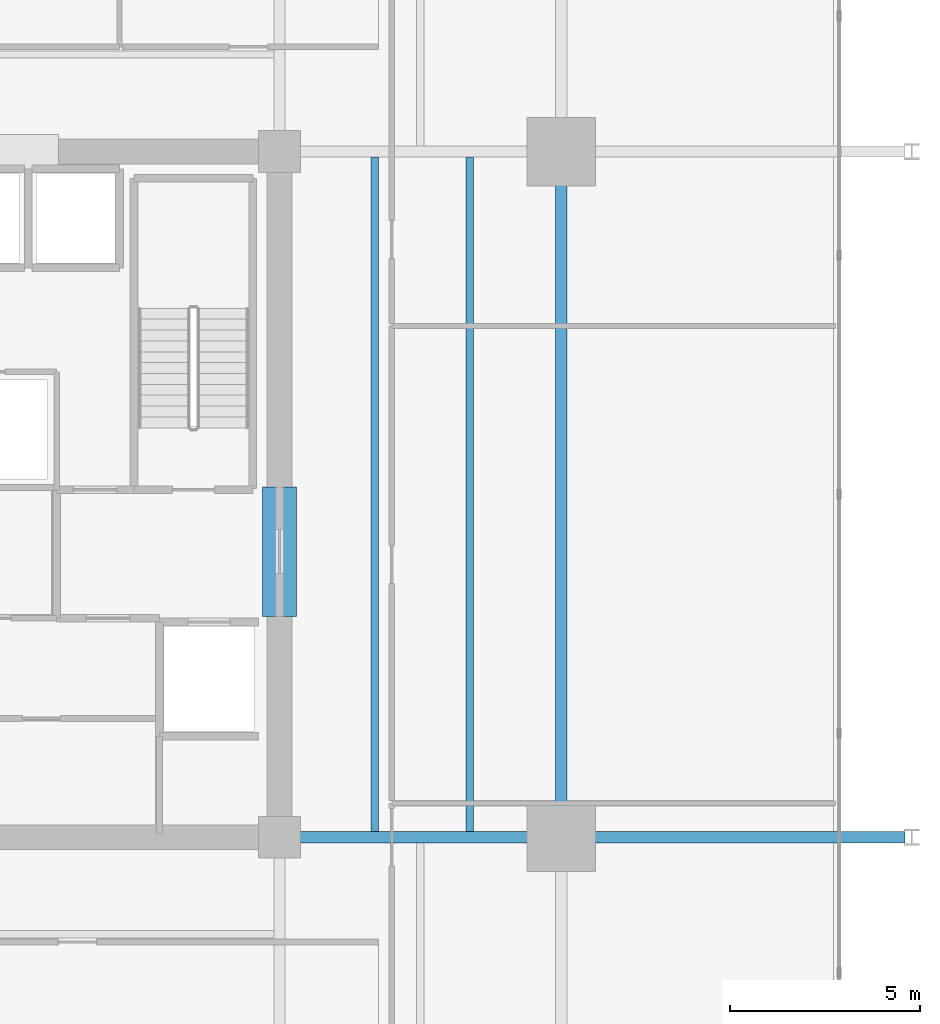
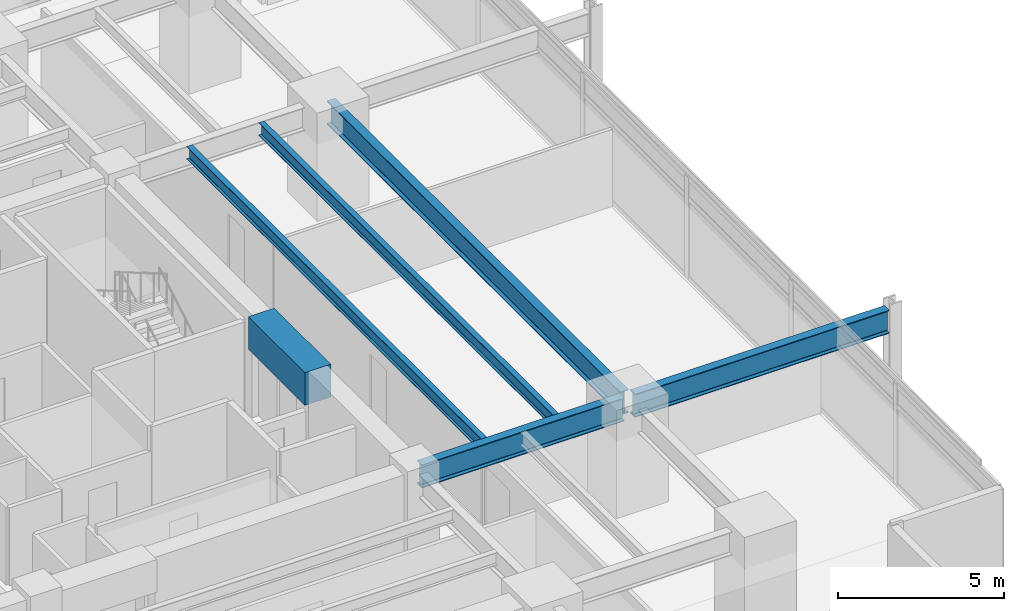
# One storey, part 3 of 23: 6 beams.
"""IFC4 building model written with IfcOpenShell, lengths in metres."""

import ifcopenshell
import ifcopenshell.guid

model = None  # the IFC model being written
_history = None  # IfcOwnerHistory: only IFC2X3 demands one
_inside = {}  # id of a spatial element -> (the spatial element, [elements in it])
_under = {}  # id of a project, library or spatial element -> (it, [spatial elements below it])
_declared = {}  # id of a project -> (the project, [libraries it declares])
_typed = {}  # id of a type object -> (the type object, [elements of that type])
_made_of = {}  # id of a material, layer set ... -> (it, [elements and type objects made of it])


def new_model(schema):
    """Start an empty IFC model of exactly this schema.

    Asked for "IFC4X3", IfcOpenShell would pick the latest addendum, in which some entities
    have other attributes; the version numbers below select the first issue.
    IFC2X3 requires an IfcOwnerHistory on every rooted entity: one is made here for all.
    """
    global model, _history
    if schema == "IFC4X3":
        model = ifcopenshell.file(schema_version=(4, 3, 0, 0))
    else:
        model = ifcopenshell.file(schema=schema)
    _inside.clear()
    _under.clear()
    _declared.clear()
    _typed.clear()
    _made_of.clear()
    _history = None
    if model.schema == "IFC2X3":
        org = make("IfcOrganization", Name="unknown")
        user = make(
            "IfcPersonAndOrganization",
            ThePerson=make("IfcPerson", FamilyName="unknown"),
            TheOrganization=org,
        )
        app = make(
            "IfcApplication",
            ApplicationDeveloper=org,
            Version="unknown",
            ApplicationFullName="unknown",
            ApplicationIdentifier="unknown",
        )
        _history = make(
            "IfcOwnerHistory",
            OwningUser=user,
            OwningApplication=app,
            ChangeAction="ADDED",
            CreationDate=0,
        )
    return model


def make(cls, **values):
    """One entity of the class cls with the attributes given. An attribute that is None is left unset."""
    return model.create_entity(
        cls, **{name: value for name, value in values.items() if value is not None}
    )


def rooted(cls, **values):
    """An entity with a GlobalId (a new one), such as an element, a storey or a relation."""
    return make(cls, GlobalId=ifcopenshell.guid.new(), OwnerHistory=_history, **values)


def si_unit(unit_type, name, prefix=None):
    """IfcSIUnit, for example si_unit("LENGTHUNIT", "METRE", prefix="MILLI")."""
    return make("IfcSIUnit", UnitType=unit_type, Prefix=prefix, Name=name)


def assignment(units):
    """IfcUnitAssignment: the units of a project."""
    return None if units is None else make("IfcUnitAssignment", Units=units)


def point(xyz):
    """IfcCartesianPoint."""
    return None if xyz is None else make("IfcCartesianPoint", Coordinates=xyz)


def direction(xyz):
    """IfcDirection."""
    return None if xyz is None else make("IfcDirection", DirectionRatios=xyz)


def frame(location, z_axis=None, x_axis=None):
    """IfcAxis2Placement3D, a coordinate frame: its origin and axes. An axis left out is left unset."""
    return make(
        "IfcAxis2Placement3D",
        Location=point(location),
        Axis=direction(z_axis),
        RefDirection=direction(x_axis),
    )


def frame_2d(location, x_axis=None):
    """IfcAxis2Placement2D, a coordinate frame in the plane: its origin and x axis."""
    return make(
        "IfcAxis2Placement2D", Location=point(location), RefDirection=direction(x_axis)
    )


def origin():
    """The frame at (0, 0, 0) with its axes left unset."""
    return frame((0.0, 0.0, 0.0))


def origin_2d():
    """The frame at (0, 0) in the plane with its x axis left unset."""
    return frame_2d((0.0, 0.0))


def place(relative_to, where):
    """IfcLocalPlacement: puts the frame where relative to a parent placement (None: the world)."""
    return make(
        "IfcLocalPlacement", PlacementRelTo=relative_to, RelativePlacement=where
    )


def context(
    kind, dimensions, precision=None, world=None, true_north=None, identifier=None
):
    """IfcGeometricRepresentationContext, for example the 3D "Model" context."""
    return make(
        "IfcGeometricRepresentationContext",
        ContextIdentifier=identifier,
        ContextType=kind,
        CoordinateSpaceDimension=dimensions,
        Precision=precision,
        WorldCoordinateSystem=world,
        TrueNorth=true_north,
    )


def subcontext(parent, identifier, kind, view, scale=None):
    """IfcGeometricRepresentationSubContext, for example "Body" below "Model"."""
    return make(
        "IfcGeometricRepresentationSubContext",
        ContextIdentifier=identifier,
        ContextType=kind,
        ParentContext=parent,
        TargetScale=scale,
        TargetView=view,
    )


def project(units=None, contexts=None):
    """IfcProject with its units and contexts."""
    return rooted(
        "IfcProject",
        Name="project",
        RepresentationContexts=contexts,
        UnitsInContext=assignment(units),
    )


def spatial(cls, under=None, at=None, **own):
    """A site, building, storey or space (cls), placed at a placement, below another one or the project."""
    s = rooted(cls, ObjectPlacement=at, **own)
    if under is not None:
        _under.setdefault(under.id(), (under, []))[1].append(s)
    return s


def profile(cls, at=None, kind="AREA", **sizes):
    """A parametric profile (cls). Its sizes go by their IFC names, for example OverallWidth=200.0."""
    return make(cls, ProfileType=kind, Position=at, **sizes)


def rectangle(**sizes):
    """IfcRectangleProfileDef."""
    return profile("IfcRectangleProfileDef", **sizes)


def i_section(**sizes):
    """IfcIShapeProfileDef."""
    return profile("IfcIShapeProfileDef", **sizes)


def extrude(swept, where, along, depth):
    """IfcExtrudedAreaSolid: the profile swept, set in the frame where, extruded along a direction by depth."""
    return make(
        "IfcExtrudedAreaSolid",
        SweptArea=swept,
        Position=where,
        ExtrudedDirection=direction(along),
        Depth=depth,
    )


def shape(context_of_items, identifier, shape_type, items):
    """IfcShapeRepresentation: the items that make up one representation, for example the "Body"."""
    return make(
        "IfcShapeRepresentation",
        ContextOfItems=context_of_items,
        RepresentationIdentifier=identifier,
        RepresentationType=shape_type,
        Items=items,
    )


def material(Name=None, Category=None):
    """IfcMaterial."""
    return make("IfcMaterial", Name=Name, Category=Category)


def material_profile(
    of_material, cross_section, Name=None, Category=None, Priority=None
):
    """IfcMaterialProfile: a cross section and its material."""
    return make(
        "IfcMaterialProfile",
        Name=Name,
        Material=of_material,
        Profile=cross_section,
        Priority=Priority,
        Category=Category,
    )


def profile_set(profiles, Name=None, composite=None):
    """IfcMaterialProfileSet."""
    return make(
        "IfcMaterialProfileSet",
        Name=Name,
        MaterialProfiles=profiles,
        CompositeProfile=composite,
    )


def made_of(thing, what):
    """Note that an element or type object is made of a material, layer set ...; save() writes the relation."""
    if what is not None:
        _made_of.setdefault(what.id(), (what, []))[1].append(thing)
    return thing


def type_object(cls, material=None, **own):
    """A type object (cls), such as IfcWallType, which elements share."""
    return made_of(rooted(cls, **own), material)


def element(
    cls,
    number,
    at=None,
    inside=None,
    cuts=None,
    type_object=None,
    material=None,
    context=None,
    identifier="Body",
    shape_type=None,
    held_by="IfcProductDefinitionShape",
    body=None,
    shapes=None,
    **own,
):
    """One element of the class cls, such as IfcWall. Its Tag is "e" and its number.

    at: its placement. inside: the storey or other place that contains it. cuts: it is an
    opening in that element (IfcRelVoidsElement). A single representation is given by context,
    identifier, shape_type and body (its items); several are given by shapes. held_by: the class
    of the entity that holds the representations. save() writes the other relations.
    """
    e = rooted(cls, Tag="e%d" % number, ObjectPlacement=at, **own)
    if body is not None:
        shapes = [shape(context, identifier, shape_type, body)]
    if shapes is not None:
        e.Representation = make(held_by, Representations=shapes)
    if inside is not None:
        _inside.setdefault(inside.id(), (inside, []))[1].append(e)
    if cuts is not None:
        rooted(
            "IfcRelVoidsElement", RelatingBuildingElement=cuts, RelatedOpeningElement=e
        )
    if type_object is not None:
        _typed.setdefault(type_object.id(), (type_object, []))[1].append(e)
    return made_of(e, material)


def aggregate(whole, parts):
    """IfcRelAggregates: a whole, such as a stair, and the parts it consists of."""
    return rooted("IfcRelAggregates", RelatingObject=whole, RelatedObjects=parts)


def save(model, path):
    """Write the relations noted so far, then the file.

    IfcRelAggregates (storeys below a building ...), IfcRelContainedInSpatialStructure (elements
    in a storey), IfcRelDefinesByType, IfcRelAssociatesMaterial and IfcRelDeclares: one each for
    every whole, place, type object, material and project.
    """
    for whole, parts in _under.values():
        aggregate(whole, parts)
    for where, things in _inside.values():
        rooted(
            "IfcRelContainedInSpatialStructure",
            RelatedElements=things,
            RelatingStructure=where,
        )
    for kind, things in _typed.values():
        rooted("IfcRelDefinesByType", RelatedObjects=things, RelatingType=kind)
    for what, things in _made_of.values():
        rooted("IfcRelAssociatesMaterial", RelatedObjects=things, RelatingMaterial=what)
    for by, libraries in _declared.values():
        rooted("IfcRelDeclares", RelatingContext=by, RelatedDefinitions=libraries)
    model.write(path)


model = new_model("IFC4")

# Units and contexts
model_context = context("Model", 3, precision=1e-05, world=origin(), true_north=direction((0.0, 1.0)))
body_context = subcontext(model_context, "Body", "Model", "MODEL_VIEW")
ifc_project = project(units=[si_unit("LENGTHUNIT", "METRE"), si_unit("AREAUNIT", "SQUARE_METRE"), si_unit("VOLUMEUNIT", "CUBIC_METRE"), si_unit("PLANEANGLEUNIT", "RADIAN"), si_unit("MASSUNIT", "GRAM", prefix="KILO")], contexts=[model_context])

# Site, building, storey
site_placement = place(None, origin())
site = spatial("IfcSite", under=ifc_project, at=site_placement, CompositionType="ELEMENT")
building_placement = place(site_placement, origin())
building = spatial("IfcBuilding", under=site, at=building_placement, Name="Kovane Verandah Tower", CompositionType="ELEMENT")
storey_placement = place(building_placement, frame((0.0, 0.0, 55.60009765625)))
storey = spatial("IfcBuildingStorey", under=building, at=storey_placement, Name="L12", CompositionType="ELEMENT", Elevation=55.60009765625)

# Beams
ifc_material_1 = material(Name="Concrete C80/95", Category="concrete")
ifc_material_profile_1 = material_profile(ifc_material_1, rectangle(XDim=0.89990234375, YDim=1.199951171875, at=origin_2d()), Name="RCB900x1200")
ifc_profile_set_1 = profile_set([ifc_material_profile_1], Name="Concrete C80/95")
beam_type_1 = type_object("IfcBeamType", Name="BM-LINTEL-900x1200", PredefinedType="LINTEL", material=ifc_profile_set_1)
beam_1_placement = place(storey_placement, frame((51.0, 24.300048828125, 3.159912109375), z_axis=(0.0, 1.0, 0.0), x_axis=(-1.0, 0.0, 0.0)))
element("IfcBeam", 1, at=beam_1_placement, inside=storey, type_object=beam_type_1, Name="L12 Core Coupling Lintel CL-E", PredefinedType="LINTEL", context=body_context, shape_type="SweptSolid", body=[
    extrude(rectangle(XDim=0.89990234375, YDim=1.199951171875, at=origin_2d()), origin(), (0.0, 0.0, 1.0), 3.39990234375),
])
ifc_material_2 = material(Name="Steel S355", Category="steel")
ifc_material_profile_2 = material_profile(ifc_material_2, i_section(OverallWidth=0.293701171875, OverallDepth=0.850830078125, WebThickness=0.01611328125, FlangeThickness=0.02685546875, FilletRadius=0.017822265625, at=origin_2d()), Name="UB838x292x226")
ifc_profile_set_2 = profile_set([ifc_material_profile_2], Name="Steel S355")
beam_type_2 = type_object("IfcBeamType", Name="BM-UB838x226", PredefinedType="BEAM", material=ifc_profile_set_2)
beam_2_placement = place(storey_placement, frame((58.39990234375, 18.679931640625, 3.33447265625), z_axis=(0.0, 1.0, 0.0), x_axis=(-1.0, 0.0, 0.0)))
element("IfcBeam", 2, at=beam_2_placement, inside=storey, type_object=beam_type_2, Name="L12 Primary Tower Girder G-RE2", PredefinedType="BEAM", context=body_context, shape_type="SweptSolid", body=[
    extrude(i_section(OverallWidth=0.293701171875, OverallDepth=0.850830078125, WebThickness=0.01611328125, FlangeThickness=0.02685546875, FilletRadius=0.017822265625, at=origin_2d()), origin(), (0.0, 0.0, 1.0), 17.64013671875),
])
beam_3_placement = place(storey_placement, frame((51.179931640625, 18.5, 3.33447265625), z_axis=(1.0, 0.0, 0.0), x_axis=(0.0, 1.0, 0.0)))
element("IfcBeam", 3, at=beam_3_placement, inside=storey, type_object=beam_type_2, Name="L12 Primary Tower Girder G-E1", PredefinedType="BEAM", context=body_context, shape_type="SweptSolid", body=[
    extrude(i_section(OverallWidth=0.293701171875, OverallDepth=0.850830078125, WebThickness=0.01611328125, FlangeThickness=0.02685546875, FilletRadius=0.017822265625, at=origin_2d()), origin(), (0.0, 0.0, 1.0), 7.0400390625),
])
beam_4_placement = place(storey_placement, frame((58.580078125, 18.5, 3.33447265625), z_axis=(1.0, 0.0, 0.0), x_axis=(0.0, 1.0, 0.0)))
element("IfcBeam", 4, at=beam_4_placement, inside=storey, type_object=beam_type_2, Name="L12 Primary Tower Girder G-VE1", PredefinedType="BEAM", context=body_context, shape_type="SweptSolid", body=[
    extrude(i_section(OverallWidth=0.293701171875, OverallDepth=0.850830078125, WebThickness=0.01611328125, FlangeThickness=0.02685546875, FilletRadius=0.017822265625, at=origin_2d()), origin(), (0.0, 0.0, 1.0), 8.83984375),
])
ifc_material_profile_3 = material_profile(ifc_material_2, i_section(OverallWidth=0.19287109375, OverallDepth=0.46728515625, WebThickness=0.011474609375, FlangeThickness=0.01953125, FilletRadius=0.01025390625, at=origin_2d()), Name="UB457x191x98")
ifc_profile_set_3 = profile_set([ifc_material_profile_3], Name="Steel S355")
beam_type_3 = type_object("IfcBeamType", Name="JST-UB457x98", PredefinedType="JOIST", material=ifc_profile_set_3)
for number, where, z_axis, x_axis, name in (
    (5, (53.5, 18.64501953125, 3.5263671875), (0.0, 1.0, 0.0), (-1.0, 0.0, 0.0), "L12 Secondary Composite Joist J-E1"),
    (6, (56.0, 18.64501953125, 3.5263671875), (0.0, 1.0, 0.0), (-1.0, 0.0, 0.0), "L12 Secondary Composite Joist J-E2"),
):
    element("IfcBeam", number, at=place(storey_placement, frame(where, z_axis=z_axis, x_axis=x_axis)), inside=storey, type_object=beam_type_3, Name=name, PredefinedType="JOIST", context=body_context, shape_type="SweptSolid", body=[
        extrude(i_section(OverallWidth=0.19287109375, OverallDepth=0.46728515625, WebThickness=0.011474609375, FlangeThickness=0.01953125, FilletRadius=0.01025390625, at=origin_2d()), origin(), (0.0, 0.0, 1.0), 17.7099609375),
    ])

save(model, "model.ifc")
